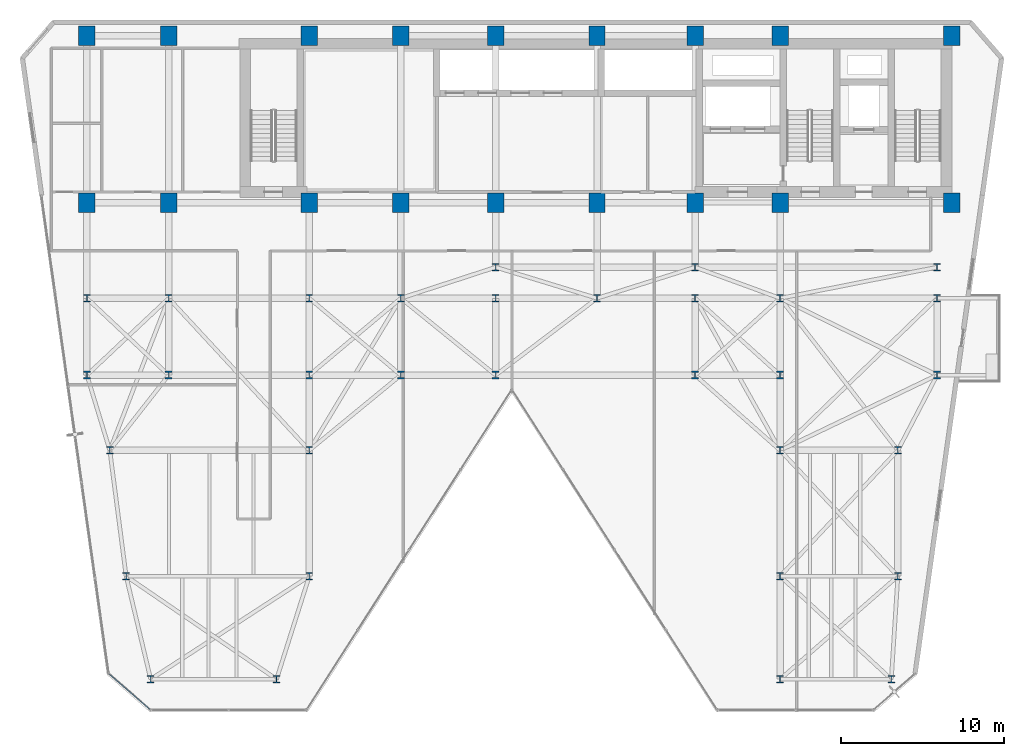
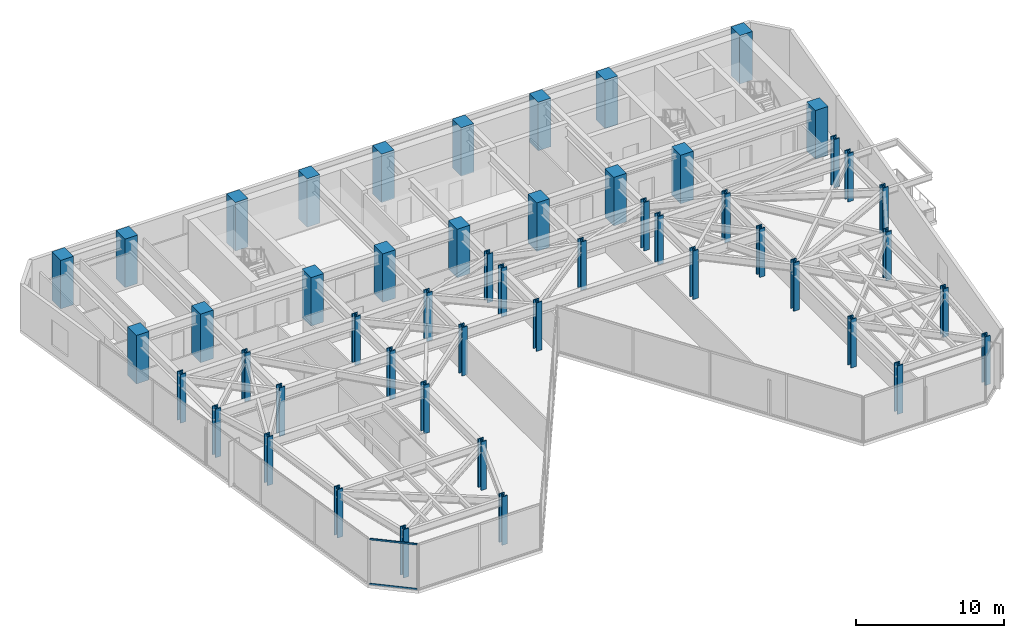
# One storey, part 1 of 26: 50 columns, 2 members, 1 element without a shape of its own.
"""IFC4 building model written with IfcOpenShell, lengths in metres."""

from ifc_helpers import new_model, si_unit, direction, frame, origin, origin_2d, place, context, subcontext, project, spatial, rectangle, hollow_rectangle, i_section, extrude, material, layer, layer_set, material_profile, profile_set, type_object, element, aggregate, save


model = new_model("IFC4")

# Units and contexts
model_context = context("Model", 3, precision=1e-05, world=origin(), true_north=direction((0.0, 1.0)))
body_context = subcontext(model_context, "Body", "Model", "MODEL_VIEW")
ifc_project = project(units=[si_unit("LENGTHUNIT", "METRE"), si_unit("AREAUNIT", "SQUARE_METRE"), si_unit("VOLUMEUNIT", "CUBIC_METRE"), si_unit("PLANEANGLEUNIT", "RADIAN"), si_unit("MASSUNIT", "GRAM", prefix="KILO")], contexts=[model_context])

# Site, building, storey
site_placement = place(None, origin())
site = spatial("IfcSite", under=ifc_project, at=site_placement, CompositionType="ELEMENT")
building_placement = place(site_placement, origin())
building = spatial("IfcBuilding", under=site, at=building_placement, Name="Kravanh Interchange Tower", CompositionType="ELEMENT")
storey_placement = place(building_placement, frame((0.0, 0.0, 116.0)))
storey = spatial("IfcBuildingStorey", under=building, at=storey_placement, Name="L27", CompositionType="ELEMENT", Elevation=116.0)

# Columns
ifc_material_1 = material(Name="Concrete C70/85", Category="concrete")
ifc_material_profile_1 = material_profile(ifc_material_1, rectangle(XDim=1.0, YDim=1.199951171875, at=origin_2d()), Name="RC1000X1200")
ifc_profile_set_1 = profile_set([ifc_material_profile_1], Name="Concrete C70/85")
column_type_1 = type_object("IfcColumnType", Name="Column RC1000X1200 Concrete C70/85", PredefinedType="COLUMN", material=ifc_profile_set_1)
for number, where, z_axis, x_axis, name in (
    (1, (66.5, 47.550048828125, 0.0), (0.0, 0.0, 1.0), (1.0, 0.0, 0.0), "L27 Column CS01"),
    (2, (56.0, 47.550048828125, 0.0), (0.0, 0.0, 1.0), (1.0, 0.0, 0.0), "L27 Column CS02"),
    (3, (66.5, 37.35009765625, 0.0), (0.0, 0.0, 1.0), (1.0, 0.0, 0.0), "L27 Column CS03"),
    (4, (56.0, 37.35009765625, 0.0), (0.0, 0.0, 1.0), (1.0, 0.0, 0.0), "L27 Column CS04"),
    (5, (50.800048828125, 47.550048828125, 0.0), (0.0, 0.0, 1.0), (1.0, 0.0, 0.0), "L27 Column CS05"),
    (6, (50.800048828125, 37.35009765625, 0.0), (0.0, 0.0, 1.0), (1.0, 0.0, 0.0), "L27 Column CS06"),
    (7, (44.800048828125, 37.35009765625, 0.0), (0.0, 0.0, 1.0), (1.0, 0.0, 0.0), "L27 Column CS07"),
    (8, (44.800048828125, 47.550048828125, 0.0), (0.0, 0.0, 1.0), (1.0, 0.0, 0.0), "L27 Column CS08"),
    (9, (38.60009765625, 37.35009765625, 0.0), (0.0, 0.0, 1.0), (1.0, 0.0, 0.0), "L27 Column CS09"),
    (10, (38.60009765625, 47.550048828125, 0.0), (0.0, 0.0, 1.0), (1.0, 0.0, 0.0), "L27 Column CS10"),
    (11, (32.800048828125, 37.35009765625, 0.0), (0.0, 0.0, 1.0), (1.0, 0.0, 0.0), "L27 Column CS11"),
    (12, (32.800048828125, 47.550048828125, 0.0), (0.0, 0.0, 1.0), (1.0, 0.0, 0.0), "L27 Column CS12"),
    (13, (27.199951171875, 37.35009765625, 0.0), (0.0, 0.0, 1.0), (1.0, 0.0, 0.0), "L27 Column CS13"),
    (14, (27.199951171875, 47.550048828125, 0.0), (0.0, 0.0, 1.0), (1.0, 0.0, 0.0), "L27 Column CS14"),
    (15, (18.60009765625, 37.35009765625, 0.0), (0.0, 0.0, 1.0), (1.0, 0.0, 0.0), "L27 Column CS17"),
    (16, (18.60009765625, 47.550048828125, 0.0), (0.0, 0.0, 1.0), (1.0, 0.0, 0.0), "L27 Column CS18"),
    (17, (13.60009765625, 37.35009765625, 0.0), (0.0, 0.0, 1.0), (1.0, 0.0, 0.0), "L27 Column CS19"),
    (18, (13.60009765625, 47.550048828125, 0.0), (0.0, 0.0, 1.0), (1.0, 0.0, 0.0), "L27 Column CS20"),
):
    element("IfcColumn", number, at=place(storey_placement, frame(where, z_axis=z_axis, x_axis=x_axis)), inside=storey, type_object=column_type_1, Name=name, PredefinedType="COLUMN", context=body_context, shape_type="SweptSolid", body=[
        extrude(rectangle(XDim=1.0, YDim=1.199951171875, at=origin_2d()), origin(), (0.0, 0.0, 1.0), 4.0),
    ])
ifc_material_2 = material(Name="Structural Steel S450", Category="steel")
ifc_material_profile_2 = material_profile(ifc_material_2, i_section(OverallWidth=0.424072265625, OverallDepth=0.47412109375, WebThickness=0.047607421875, FlangeThickness=0.0771484375, FilletRadius=0.030029296875, at=origin_2d()), Name="W14X426")
ifc_profile_set_2 = profile_set([ifc_material_profile_2], Name="Structural Steel S450")
column_type_2 = type_object("IfcColumnType", Name="Column W14X426 Structural Steel S450", PredefinedType="COLUMN", material=ifc_profile_set_2)
for number, where, z_axis, x_axis, name in (
    (19, (17.5, 8.199951171875, 0.0), (0.0, 0.0, 1.0), (1.0, 0.0, 0.0), "L27 Column CZ2_1"),
    (20, (13.60009765625, 26.800048828125, 0.0), (0.0, 0.0, 1.0), (1.0, 0.0, 0.0), "L27 Column CZ2_11"),
    (21, (18.60009765625, 26.800048828125, 0.0), (0.0, 0.0, 1.0), (1.0, 0.0, 0.0), "L27 Column CZ2_12"),
    (22, (27.199951171875, 26.800048828125, 0.0), (0.0, 0.0, 1.0), (1.0, 0.0, 0.0), "L27 Column CZ2_13"),
    (23, (32.800048828125, 26.800048828125, 0.0), (0.0, 0.0, 1.0), (1.0, 0.0, 0.0), "L27 Column CZ2_14"),
    (24, (38.60009765625, 26.800048828125, 0.0), (0.0, 0.0, 1.0), (1.0, 0.0, 0.0), "L27 Column CZ2_14B"),
    (25, (50.800048828125, 26.800048828125, 0.0), (0.0, 0.0, 1.0), (1.0, 0.0, 0.0), "L27 Column CZ2_15"),
    (26, (56.0, 26.800048828125, 0.0), (0.0, 0.0, 1.0), (1.0, 0.0, 0.0), "L27 Column CZ2_16"),
    (27, (65.60009765625, 26.800048828125, 0.0), (0.0, 0.0, 1.0), (1.0, 0.0, 0.0), "L27 Column CZ2_17"),
    (28, (13.60009765625, 31.5, 0.0), (0.0, 0.0, 1.0), (1.0, 0.0, 0.0), "L27 Column CZ2_18"),
    (29, (18.60009765625, 31.5, 0.0), (0.0, 0.0, 1.0), (1.0, 0.0, 0.0), "L27 Column CZ2_18B"),
    (30, (27.199951171875, 31.5, 0.0), (0.0, 0.0, 1.0), (1.0, 0.0, 0.0), "L27 Column CZ2_19"),
    (31, (25.199951171875, 8.199951171875, 0.0), (0.0, 0.0, 1.0), (1.0, 0.0, 0.0), "L27 Column CZ2_2"),
    (32, (32.800048828125, 31.5, 0.0), (0.0, 0.0, 1.0), (1.0, 0.0, 0.0), "L27 Column CZ2_20"),
    (33, (38.60009765625, 31.5, 0.0), (0.0, 0.0, 1.0), (1.0, 0.0, 0.0), "L27 Column CZ2_21"),
    (34, (44.800048828125, 31.5, 0.0), (0.0, 0.0, 1.0), (1.0, 0.0, 0.0), "L27 Column CZ2_22"),
    (35, (50.800048828125, 31.5, 0.0), (0.0, 0.0, 1.0), (1.0, 0.0, 0.0), "L27 Column CZ2_23"),
    (36, (56.0, 31.5, 0.0), (0.0, 0.0, 1.0), (1.0, 0.0, 0.0), "L27 Column CZ2_24"),
    (37, (65.60009765625, 31.5, 0.0), (0.0, 0.0, 1.0), (1.0, 0.0, 0.0), "L27 Column CZ2_25"),
    (38, (56.0, 8.199951171875, 0.0), (0.0, 0.0, 1.0), (1.0, 0.0, 0.0), "L27 Column CZ2_3"),
    (39, (62.800048828125, 8.199951171875, 0.0), (0.0, 0.0, 1.0), (1.0, 0.0, 0.0), "L27 Column CZ2_4"),
    (40, (16.0, 14.5, 0.0), (0.0, 0.0, 1.0), (1.0, 0.0, 0.0), "L27 Column CZ2_5"),
    (41, (27.199951171875, 14.5, 0.0), (0.0, 0.0, 1.0), (1.0, 0.0, 0.0), "L27 Column CZ2_5B"),
    (42, (56.0, 14.5, 0.0), (0.0, 0.0, 1.0), (1.0, 0.0, 0.0), "L27 Column CZ2_5C"),
    (43, (63.199951171875, 14.5, 0.0), (0.0, 0.0, 1.0), (1.0, 0.0, 0.0), "L27 Column CZ2_5D"),
    (44, (15.0, 22.199951171875, 0.0), (0.0, 0.0, 1.0), (1.0, 0.0, 0.0), "L27 Column CZ2_6"),
    (45, (27.199951171875, 22.199951171875, 0.0), (0.0, 0.0, 1.0), (1.0, 0.0, 0.0), "L27 Column CZ2_7"),
    (46, (56.0, 22.199951171875, 0.0), (0.0, 0.0, 1.0), (1.0, 0.0, 0.0), "L27 Column CZ2_8"),
    (47, (63.199951171875, 22.199951171875, 0.0), (0.0, 0.0, 1.0), (1.0, 0.0, 0.0), "L27 Column CZ2_9"),
    (48, (38.60009765625, 33.39990234375, 0.0), (0.0, 0.0, 1.0), (1.0, 0.0, 0.0), "L27 Column CZ2_M1"),
    (49, (50.800048828125, 33.39990234375, 0.0), (0.0, 0.0, 1.0), (1.0, 0.0, 0.0), "L27 Column CZ2_M2"),
    (50, (65.60009765625, 33.39990234375, 0.0), (0.0, 0.0, 1.0), (1.0, 0.0, 0.0), "L27 Column CZ2_M3"),
):
    element("IfcColumn", number, at=place(storey_placement, frame(where, z_axis=z_axis, x_axis=x_axis)), inside=storey, type_object=column_type_2, Name=name, PredefinedType="COLUMN", context=body_context, shape_type="SweptSolid", body=[
        extrude(i_section(OverallWidth=0.424072265625, OverallDepth=0.47412109375, WebThickness=0.047607421875, FlangeThickness=0.0771484375, FilletRadius=0.030029296875, at=origin_2d()), origin(), (0.0, 0.0, 1.0), 4.0),
    ])

# Curtain wall, members
ifc_material_3 = material(Name="Anodised Bronze Aluminium", Category="aluminium")
ifc_layer = layer(ifc_material_3, 0.179931640625)
ifc_layer_set = layer_set([ifc_layer], Name="Unitised Curtain Wall System CW-Z2 Mid Office")
curtain_wall_type = type_object("IfcCurtainWallType", Name="Unitised Curtain Wall System CW-Z2 Mid Office", PredefinedType="NOTDEFINED", material=ifc_layer_set)
curtain_wall_placement = place(storey_placement, origin())
curtain_wall = element("IfcCurtainWall", 51, at=curtain_wall_placement, inside=storey, type_object=curtain_wall_type, Name="L27 Unitised Curtain Wall CW-L27-07", PredefinedType="NOTDEFINED")
ifc_material_4 = material(Name="Anodised Bronze Aluminium", Category="aluminium")
ifc_material_profile_3 = material_profile(ifc_material_4, hollow_rectangle(XDim=0.06005859375, YDim=0.139892578125, WallThickness=0.00390625, at=origin_2d()), Name="ALU60X140X4")
ifc_profile_set_3 = profile_set([ifc_material_profile_3], Name="Anodised Bronze Aluminium")
member_type = type_object("IfcMemberType", Name="Curtain Wall Transom ALU60X140X4 Bronze", PredefinedType="USERDEFINED", material=ifc_profile_set_3)
member_1_placement = place(storey_placement, frame((17.444580078125, 6.359375, 0.030029296875), z_axis=(-0.754742467432, 0.656021194669, 0.0), x_axis=(-0.656021194669, -0.754742467432, 0.0)))
member_1 = element("IfcMember", 52, at=member_1_placement, type_object=member_type, Name="CW-Z2 transom 1.1", ObjectType="TRANSOM", PredefinedType="USERDEFINED", context=body_context, shape_type="SweptSolid", body=[
    extrude(hollow_rectangle(XDim=0.06005859375, YDim=0.139892578125, WallThickness=0.00390625, at=origin_2d()), origin(), (0.0, 0.0, 1.0), 3.261962890625),
])
member_2_placement = place(storey_placement, frame((17.444580078125, 6.359375, 3.719970703125), z_axis=(-0.754742467432, 0.656021194669, 0.0), x_axis=(-0.656021194669, -0.754742467432, 0.0)))
member_2 = element("IfcMember", 53, at=member_2_placement, type_object=member_type, Name="CW-Z2 transom 1.2", ObjectType="TRANSOM", PredefinedType="USERDEFINED", context=body_context, shape_type="SweptSolid", body=[
    extrude(hollow_rectangle(XDim=0.06005859375, YDim=0.139892578125, WallThickness=0.00390625, at=origin_2d()), origin(), (0.0, 0.0, 1.0), 3.261962890625),
])
aggregate(curtain_wall, [member_1, member_2])

save(model, "model.ifc")
